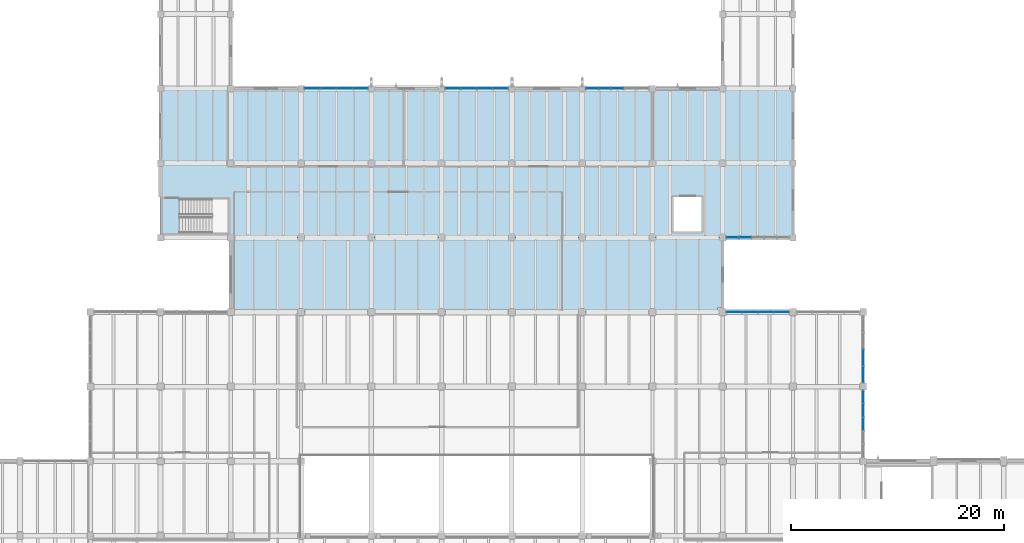
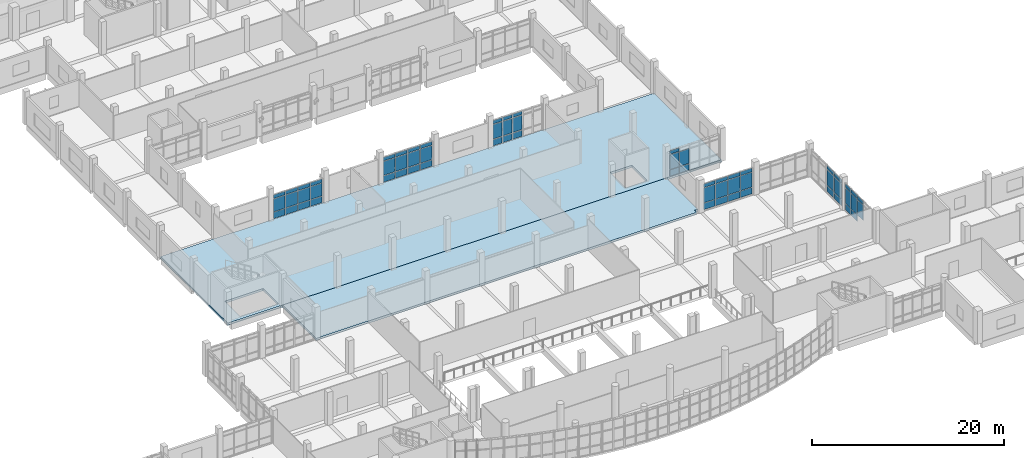
# One storey, part 37 of 68: 64 plates, 2 slabs, 7 elements without a shape of their own.
"""IFC4 building model written with IfcOpenShell, lengths in metres."""

import ifcopenshell
import ifcopenshell.guid

model = None  # the IFC model being written
_history = None  # IfcOwnerHistory: only IFC2X3 demands one
_inside = {}  # id of a spatial element -> (the spatial element, [elements in it])
_under = {}  # id of a project, library or spatial element -> (it, [spatial elements below it])
_declared = {}  # id of a project -> (the project, [libraries it declares])
_typed = {}  # id of a type object -> (the type object, [elements of that type])
_made_of = {}  # id of a material, layer set ... -> (it, [elements and type objects made of it])


def new_model(schema):
    """Start an empty IFC model of exactly this schema.

    Asked for "IFC4X3", IfcOpenShell would pick the latest addendum, in which some entities
    have other attributes; the version numbers below select the first issue.
    IFC2X3 requires an IfcOwnerHistory on every rooted entity: one is made here for all.
    """
    global model, _history
    if schema == "IFC4X3":
        model = ifcopenshell.file(schema_version=(4, 3, 0, 0))
    else:
        model = ifcopenshell.file(schema=schema)
    _inside.clear()
    _under.clear()
    _declared.clear()
    _typed.clear()
    _made_of.clear()
    _history = None
    if model.schema == "IFC2X3":
        org = make("IfcOrganization", Name="unknown")
        user = make(
            "IfcPersonAndOrganization",
            ThePerson=make("IfcPerson", FamilyName="unknown"),
            TheOrganization=org,
        )
        app = make(
            "IfcApplication",
            ApplicationDeveloper=org,
            Version="unknown",
            ApplicationFullName="unknown",
            ApplicationIdentifier="unknown",
        )
        _history = make(
            "IfcOwnerHistory",
            OwningUser=user,
            OwningApplication=app,
            ChangeAction="ADDED",
            CreationDate=0,
        )
    return model


def make(cls, **values):
    """One entity of the class cls with the attributes given. An attribute that is None is left unset."""
    return model.create_entity(
        cls, **{name: value for name, value in values.items() if value is not None}
    )


def rooted(cls, **values):
    """An entity with a GlobalId (a new one), such as an element, a storey or a relation."""
    return make(cls, GlobalId=ifcopenshell.guid.new(), OwnerHistory=_history, **values)


def si_unit(unit_type, name, prefix=None):
    """IfcSIUnit, for example si_unit("LENGTHUNIT", "METRE", prefix="MILLI")."""
    return make("IfcSIUnit", UnitType=unit_type, Prefix=prefix, Name=name)


def assignment(units):
    """IfcUnitAssignment: the units of a project."""
    return None if units is None else make("IfcUnitAssignment", Units=units)


def point(xyz):
    """IfcCartesianPoint."""
    return None if xyz is None else make("IfcCartesianPoint", Coordinates=xyz)


def direction(xyz):
    """IfcDirection."""
    return None if xyz is None else make("IfcDirection", DirectionRatios=xyz)


def frame(location, z_axis=None, x_axis=None):
    """IfcAxis2Placement3D, a coordinate frame: its origin and axes. An axis left out is left unset."""
    return make(
        "IfcAxis2Placement3D",
        Location=point(location),
        Axis=direction(z_axis),
        RefDirection=direction(x_axis),
    )


def frame_2d(location, x_axis=None):
    """IfcAxis2Placement2D, a coordinate frame in the plane: its origin and x axis."""
    return make(
        "IfcAxis2Placement2D", Location=point(location), RefDirection=direction(x_axis)
    )


def origin():
    """The frame at (0, 0, 0) with its axes left unset."""
    return frame((0.0, 0.0, 0.0))


def origin_2d():
    """The frame at (0, 0) in the plane with its x axis left unset."""
    return frame_2d((0.0, 0.0))


def place(relative_to, where):
    """IfcLocalPlacement: puts the frame where relative to a parent placement (None: the world)."""
    return make(
        "IfcLocalPlacement", PlacementRelTo=relative_to, RelativePlacement=where
    )


def context(
    kind, dimensions, precision=None, world=None, true_north=None, identifier=None
):
    """IfcGeometricRepresentationContext, for example the 3D "Model" context."""
    return make(
        "IfcGeometricRepresentationContext",
        ContextIdentifier=identifier,
        ContextType=kind,
        CoordinateSpaceDimension=dimensions,
        Precision=precision,
        WorldCoordinateSystem=world,
        TrueNorth=true_north,
    )


def subcontext(parent, identifier, kind, view, scale=None):
    """IfcGeometricRepresentationSubContext, for example "Body" below "Model"."""
    return make(
        "IfcGeometricRepresentationSubContext",
        ContextIdentifier=identifier,
        ContextType=kind,
        ParentContext=parent,
        TargetScale=scale,
        TargetView=view,
    )


def project(units=None, contexts=None):
    """IfcProject with its units and contexts."""
    return rooted(
        "IfcProject",
        Name="project",
        RepresentationContexts=contexts,
        UnitsInContext=assignment(units),
    )


def spatial(cls, under=None, at=None, **own):
    """A site, building, storey or space (cls), placed at a placement, below another one or the project."""
    s = rooted(cls, ObjectPlacement=at, **own)
    if under is not None:
        _under.setdefault(under.id(), (under, []))[1].append(s)
    return s


def polyline(points):
    """IfcPolyline through the points."""
    return make("IfcPolyline", Points=[point(p) for p in points])


def profile(cls, at=None, kind="AREA", **sizes):
    """A parametric profile (cls). Its sizes go by their IFC names, for example OverallWidth=200.0."""
    return make(cls, ProfileType=kind, Position=at, **sizes)


def rectangle(**sizes):
    """IfcRectangleProfileDef."""
    return profile("IfcRectangleProfileDef", **sizes)


def outline(outer, holes=None, kind="AREA"):
    """IfcArbitraryClosedProfileDef: a profile drawn as a closed curve; with holes, ...WithVoids."""
    if holes is None:
        return make("IfcArbitraryClosedProfileDef", ProfileType=kind, OuterCurve=outer)
    return make(
        "IfcArbitraryProfileDefWithVoids",
        ProfileType=kind,
        OuterCurve=outer,
        InnerCurves=holes,
    )


def extrude(swept, where, along, depth):
    """IfcExtrudedAreaSolid: the profile swept, set in the frame where, extruded along a direction by depth."""
    return make(
        "IfcExtrudedAreaSolid",
        SweptArea=swept,
        Position=where,
        ExtrudedDirection=direction(along),
        Depth=depth,
    )


def shape(context_of_items, identifier, shape_type, items):
    """IfcShapeRepresentation: the items that make up one representation, for example the "Body"."""
    return make(
        "IfcShapeRepresentation",
        ContextOfItems=context_of_items,
        RepresentationIdentifier=identifier,
        RepresentationType=shape_type,
        Items=items,
    )


def material(Name=None, Category=None):
    """IfcMaterial."""
    return make("IfcMaterial", Name=Name, Category=Category)


def layer(
    of_material, thickness, ventilated=None, Name=None, Category=None, Priority=None
):
    """IfcMaterialLayer: one layer of a wall or slab, of a material (None: an air gap)."""
    return make(
        "IfcMaterialLayer",
        Material=of_material,
        LayerThickness=thickness,
        IsVentilated=ventilated,
        Name=Name,
        Category=Category,
        Priority=Priority,
    )


def layer_set(layers, Name=None):
    """IfcMaterialLayerSet."""
    return make("IfcMaterialLayerSet", MaterialLayers=layers, LayerSetName=Name)


def made_of(thing, what):
    """Note that an element or type object is made of a material, layer set ...; save() writes the relation."""
    if what is not None:
        _made_of.setdefault(what.id(), (what, []))[1].append(thing)
    return thing


def type_object(cls, material=None, **own):
    """A type object (cls), such as IfcWallType, which elements share."""
    return made_of(rooted(cls, **own), material)


def element(
    cls,
    number,
    at=None,
    inside=None,
    cuts=None,
    type_object=None,
    material=None,
    context=None,
    identifier="Body",
    shape_type=None,
    held_by="IfcProductDefinitionShape",
    body=None,
    shapes=None,
    **own,
):
    """One element of the class cls, such as IfcWall. Its Tag is "e" and its number.

    at: its placement. inside: the storey or other place that contains it. cuts: it is an
    opening in that element (IfcRelVoidsElement). A single representation is given by context,
    identifier, shape_type and body (its items); several are given by shapes. held_by: the class
    of the entity that holds the representations. save() writes the other relations.
    """
    e = rooted(cls, Tag="e%d" % number, ObjectPlacement=at, **own)
    if body is not None:
        shapes = [shape(context, identifier, shape_type, body)]
    if shapes is not None:
        e.Representation = make(held_by, Representations=shapes)
    if inside is not None:
        _inside.setdefault(inside.id(), (inside, []))[1].append(e)
    if cuts is not None:
        rooted(
            "IfcRelVoidsElement", RelatingBuildingElement=cuts, RelatedOpeningElement=e
        )
    if type_object is not None:
        _typed.setdefault(type_object.id(), (type_object, []))[1].append(e)
    return made_of(e, material)


def aggregate(whole, parts):
    """IfcRelAggregates: a whole, such as a stair, and the parts it consists of."""
    return rooted("IfcRelAggregates", RelatingObject=whole, RelatedObjects=parts)


def save(model, path):
    """Write the relations noted so far, then the file.

    IfcRelAggregates (storeys below a building ...), IfcRelContainedInSpatialStructure (elements
    in a storey), IfcRelDefinesByType, IfcRelAssociatesMaterial and IfcRelDeclares: one each for
    every whole, place, type object, material and project.
    """
    for whole, parts in _under.values():
        aggregate(whole, parts)
    for where, things in _inside.values():
        rooted(
            "IfcRelContainedInSpatialStructure",
            RelatedElements=things,
            RelatingStructure=where,
        )
    for kind, things in _typed.values():
        rooted("IfcRelDefinesByType", RelatedObjects=things, RelatingType=kind)
    for what, things in _made_of.values():
        rooted("IfcRelAssociatesMaterial", RelatedObjects=things, RelatingMaterial=what)
    for by, libraries in _declared.values():
        rooted("IfcRelDeclares", RelatingContext=by, RelatedDefinitions=libraries)
    model.write(path)


model = new_model("IFC4")

# Units and contexts
model_context = context("Model", 3, precision=1e-05, world=origin(), true_north=direction((0.0, 1.0)))
body_context = subcontext(model_context, "Body", "Model", "MODEL_VIEW")
ifc_project = project(units=[si_unit("LENGTHUNIT", "METRE"), si_unit("AREAUNIT", "SQUARE_METRE"), si_unit("VOLUMEUNIT", "CUBIC_METRE"), si_unit("PLANEANGLEUNIT", "RADIAN"), si_unit("MASSUNIT", "GRAM", prefix="KILO")], contexts=[model_context])

# Site, building, storey
site_placement = place(None, origin())
site = spatial("IfcSite", under=ifc_project, at=site_placement, CompositionType="ELEMENT")
building_placement = place(site_placement, origin())
building = spatial("IfcBuilding", under=site, at=building_placement, Name="Ciguamira Faculty of Natural Sciences", CompositionType="ELEMENT")
storey_placement = place(building_placement, frame((0.0, 0.0, 4.199951171875)))
storey = spatial("IfcBuildingStorey", under=building, at=storey_placement, Name="L01", CompositionType="ELEMENT", Elevation=4.199951171875)

# Curtain wall, plates
ifc_material_1 = material(Name="Anodized aluminium curtain wall", Category="aluminium")
curtain_wall_type_1 = type_object("IfcCurtainWallType", Name="CurtainWall_CW-01", PredefinedType="USERDEFINED", material=ifc_material_1)
curtain_wall_1_placement = place(storey_placement, origin())
curtain_wall_1 = element("IfcCurtainWall", 1, at=curtain_wall_1_placement, inside=storey, type_object=curtain_wall_type_1, Name="L01 unitised curtain wall 0037", ObjectType="UNITISED CURTAIN WALL", PredefinedType="USERDEFINED")
ifc_material_2 = material(Name="Low-E laminated solar glass", Category="glass")
ifc_layer_1 = layer(ifc_material_2, 0.028076171875, Name="Low-E laminated solar glass")
ifc_layer_set_1 = layer_set([ifc_layer_1], Name="Low-E laminated solar glass")
plate_type_1 = type_object("IfcPlateType", Name="CWPanel_CWP-01", PredefinedType="CURTAIN_PANEL", material=ifc_layer_set_1)
plate_1_placement = place(storey_placement, frame((71.56494140625, 59.0, 0.06005859375), z_axis=(0.0, 0.0, 1.0), x_axis=(1.0, 0.0, 0.0)))
plate_1 = element("IfcPlate", 2, at=plate_1_placement, type_object=plate_type_1, Name="CW-01 panel 1.1", PredefinedType="CURTAIN_PANEL", context=body_context, shape_type="SweptSolid", body=[
    extrude(rectangle(XDim=1.409912109375, YDim=0.028076171875, at=origin_2d()), origin(), (0.0, 0.0, 1.0), 0.81005859375),
])
plate_2_placement = place(storey_placement, frame((71.56494140625, 59.0, 0.929931640625), z_axis=(0.0, 0.0, 1.0), x_axis=(1.0, 0.0, 0.0)))
plate_2 = element("IfcPlate", 3, at=plate_2_placement, type_object=plate_type_1, Name="CW-01 panel 1.2", PredefinedType="CURTAIN_PANEL", context=body_context, shape_type="SweptSolid", body=[
    extrude(rectangle(XDim=1.409912109375, YDim=0.028076171875, at=origin_2d()), origin(), (0.0, 0.0, 1.0), 1.625),
])
plate_3_placement = place(storey_placement, frame((71.56494140625, 59.0, 2.614990234375), z_axis=(0.0, 0.0, 1.0), x_axis=(1.0, 0.0, 0.0)))
plate_3 = element("IfcPlate", 4, at=plate_3_placement, type_object=plate_type_1, Name="CW-01 panel 1.3", PredefinedType="CURTAIN_PANEL", context=body_context, shape_type="SweptSolid", body=[
    extrude(rectangle(XDim=1.409912109375, YDim=0.028076171875, at=origin_2d()), origin(), (0.0, 0.0, 1.0), 0.4599609375),
])
plate_4_placement = place(storey_placement, frame((73.050048828125, 59.0, 0.06005859375), z_axis=(0.0, 0.0, 1.0), x_axis=(1.0, 0.0, 0.0)))
plate_4 = element("IfcPlate", 5, at=plate_4_placement, type_object=plate_type_1, Name="CW-01 panel 2.1", PredefinedType="CURTAIN_PANEL", context=body_context, shape_type="SweptSolid", body=[
    extrude(rectangle(XDim=1.43994140625, YDim=0.028076171875, at=origin_2d()), origin(), (0.0, 0.0, 1.0), 0.81005859375),
])
plate_5_placement = place(storey_placement, frame((73.050048828125, 59.0, 0.929931640625), z_axis=(0.0, 0.0, 1.0), x_axis=(1.0, 0.0, 0.0)))
plate_5 = element("IfcPlate", 6, at=plate_5_placement, type_object=plate_type_1, Name="CW-01 panel 2.2", PredefinedType="CURTAIN_PANEL", context=body_context, shape_type="SweptSolid", body=[
    extrude(rectangle(XDim=1.43994140625, YDim=0.028076171875, at=origin_2d()), origin(), (0.0, 0.0, 1.0), 1.625),
])
plate_6_placement = place(storey_placement, frame((73.050048828125, 59.0, 2.614990234375), z_axis=(0.0, 0.0, 1.0), x_axis=(1.0, 0.0, 0.0)))
plate_6 = element("IfcPlate", 7, at=plate_6_placement, type_object=plate_type_1, Name="CW-01 panel 2.3", PredefinedType="CURTAIN_PANEL", context=body_context, shape_type="SweptSolid", body=[
    extrude(rectangle(XDim=1.43994140625, YDim=0.028076171875, at=origin_2d()), origin(), (0.0, 0.0, 1.0), 0.4599609375),
])
plate_7_placement = place(storey_placement, frame((74.550048828125, 59.0, 0.06005859375), z_axis=(0.0, 0.0, 1.0), x_axis=(1.0, 0.0, 0.0)))
plate_7 = element("IfcPlate", 8, at=plate_7_placement, type_object=plate_type_1, Name="CW-01 panel 3.1", PredefinedType="CURTAIN_PANEL", context=body_context, shape_type="SweptSolid", body=[
    extrude(rectangle(XDim=1.43994140625, YDim=0.028076171875, at=origin_2d()), origin(), (0.0, 0.0, 1.0), 0.81005859375),
])
plate_8_placement = place(storey_placement, frame((74.550048828125, 59.0, 0.929931640625), z_axis=(0.0, 0.0, 1.0), x_axis=(1.0, 0.0, 0.0)))
plate_8 = element("IfcPlate", 9, at=plate_8_placement, type_object=plate_type_1, Name="CW-01 panel 3.2", PredefinedType="CURTAIN_PANEL", context=body_context, shape_type="SweptSolid", body=[
    extrude(rectangle(XDim=1.43994140625, YDim=0.028076171875, at=origin_2d()), origin(), (0.0, 0.0, 1.0), 1.625),
])
plate_9_placement = place(storey_placement, frame((74.550048828125, 59.0, 2.614990234375), z_axis=(0.0, 0.0, 1.0), x_axis=(1.0, 0.0, 0.0)))
plate_9 = element("IfcPlate", 10, at=plate_9_placement, type_object=plate_type_1, Name="CW-01 panel 3.3", PredefinedType="CURTAIN_PANEL", context=body_context, shape_type="SweptSolid", body=[
    extrude(rectangle(XDim=1.43994140625, YDim=0.028076171875, at=origin_2d()), origin(), (0.0, 0.0, 1.0), 0.4599609375),
])
plate_10_placement = place(storey_placement, frame((76.034912109375, 59.0, 0.06005859375), z_axis=(0.0, 0.0, 1.0), x_axis=(1.0, 0.0, 0.0)))
plate_10 = element("IfcPlate", 11, at=plate_10_placement, type_object=plate_type_1, Name="CW-01 panel 4.1", PredefinedType="CURTAIN_PANEL", context=body_context, shape_type="SweptSolid", body=[
    extrude(rectangle(XDim=1.409912109375, YDim=0.028076171875, at=origin_2d()), origin(), (0.0, 0.0, 1.0), 0.81005859375),
])
plate_11_placement = place(storey_placement, frame((76.034912109375, 59.0, 0.929931640625), z_axis=(0.0, 0.0, 1.0), x_axis=(1.0, 0.0, 0.0)))
plate_11 = element("IfcPlate", 12, at=plate_11_placement, type_object=plate_type_1, Name="CW-01 panel 4.2", PredefinedType="CURTAIN_PANEL", context=body_context, shape_type="SweptSolid", body=[
    extrude(rectangle(XDim=1.409912109375, YDim=0.028076171875, at=origin_2d()), origin(), (0.0, 0.0, 1.0), 1.625),
])
plate_12_placement = place(storey_placement, frame((76.034912109375, 59.0, 2.614990234375), z_axis=(0.0, 0.0, 1.0), x_axis=(1.0, 0.0, 0.0)))
plate_12 = element("IfcPlate", 13, at=plate_12_placement, type_object=plate_type_1, Name="CW-01 panel 4.3", PredefinedType="CURTAIN_PANEL", context=body_context, shape_type="SweptSolid", body=[
    extrude(rectangle(XDim=1.409912109375, YDim=0.028076171875, at=origin_2d()), origin(), (0.0, 0.0, 1.0), 0.4599609375),
])
aggregate(curtain_wall_1, [plate_1, plate_2, plate_3, plate_4, plate_5, plate_6, plate_7, plate_8, plate_9, plate_10, plate_11, plate_12])

curtain_wall_type_2 = type_object("IfcCurtainWallType", Name="CurtainWall_CW-03", PredefinedType="USERDEFINED", material=ifc_material_1)
curtain_wall_2_placement = place(storey_placement, origin())
curtain_wall_2 = element("IfcCurtainWall", 14, at=curtain_wall_2_placement, inside=storey, type_object=curtain_wall_type_2, Name="L01 unitised curtain wall 0039", ObjectType="UNITISED CURTAIN WALL", PredefinedType="USERDEFINED")
plate_13_placement = place(storey_placement, frame((97.820068359375, 59.0, 0.080078125), z_axis=(0.0, 0.0, 1.0), x_axis=(1.0, 0.0, 0.0)))
plate_13 = element("IfcPlate", 15, at=plate_13_placement, type_object=plate_type_1, Name="CW-03 panel 1.1", PredefinedType="CURTAIN_PANEL", context=body_context, shape_type="SweptSolid", body=[
    extrude(rectangle(XDim=1.080078125, YDim=0.028076171875, at=origin_2d()), origin(), (0.0, 0.0, 1.0), 0.780029296875),
])
plate_14_placement = place(storey_placement, frame((97.820068359375, 59.0, 0.940185546875), z_axis=(0.0, 0.0, 1.0), x_axis=(1.0, 0.0, 0.0)))
plate_14 = element("IfcPlate", 16, at=plate_14_placement, type_object=plate_type_1, Name="CW-03 panel 1.2", PredefinedType="CURTAIN_PANEL", context=body_context, shape_type="SweptSolid", body=[
    extrude(rectangle(XDim=1.080078125, YDim=0.028076171875, at=origin_2d()), origin(), (0.0, 0.0, 1.0), 1.8349609375),
])
plate_15_placement = place(storey_placement, frame((97.820068359375, 59.0, 2.85498046875), z_axis=(0.0, 0.0, 1.0), x_axis=(1.0, 0.0, 0.0)))
plate_15 = element("IfcPlate", 17, at=plate_15_placement, type_object=plate_type_1, Name="CW-03 panel 1.3", PredefinedType="CURTAIN_PANEL", context=body_context, shape_type="SweptSolid", body=[
    extrude(rectangle(XDim=1.080078125, YDim=0.028076171875, at=origin_2d()), origin(), (0.0, 0.0, 1.0), 0.429931640625),
])
plate_16_placement = place(storey_placement, frame((99.0, 59.0, 0.080078125), z_axis=(0.0, 0.0, 1.0), x_axis=(1.0, 0.0, 0.0)))
plate_16 = element("IfcPlate", 18, at=plate_16_placement, type_object=plate_type_1, Name="CW-03 panel 2.1", PredefinedType="CURTAIN_PANEL", context=body_context, shape_type="SweptSolid", body=[
    extrude(rectangle(XDim=1.1201171875, YDim=0.028076171875, at=origin_2d()), origin(), (0.0, 0.0, 1.0), 0.780029296875),
])
plate_17_placement = place(storey_placement, frame((99.0, 59.0, 0.940185546875), z_axis=(0.0, 0.0, 1.0), x_axis=(1.0, 0.0, 0.0)))
plate_17 = element("IfcPlate", 19, at=plate_17_placement, type_object=plate_type_1, Name="CW-03 panel 2.2", PredefinedType="CURTAIN_PANEL", context=body_context, shape_type="SweptSolid", body=[
    extrude(rectangle(XDim=1.1201171875, YDim=0.028076171875, at=origin_2d()), origin(), (0.0, 0.0, 1.0), 1.8349609375),
])
plate_18_placement = place(storey_placement, frame((99.0, 59.0, 2.85498046875), z_axis=(0.0, 0.0, 1.0), x_axis=(1.0, 0.0, 0.0)))
plate_18 = element("IfcPlate", 20, at=plate_18_placement, type_object=plate_type_1, Name="CW-03 panel 2.3", PredefinedType="CURTAIN_PANEL", context=body_context, shape_type="SweptSolid", body=[
    extrude(rectangle(XDim=1.1201171875, YDim=0.028076171875, at=origin_2d()), origin(), (0.0, 0.0, 1.0), 0.429931640625),
])
plate_19_placement = place(storey_placement, frame((100.199951171875, 59.0, 0.080078125), z_axis=(0.0, 0.0, 1.0), x_axis=(1.0, 0.0, 0.0)))
plate_19 = element("IfcPlate", 21, at=plate_19_placement, type_object=plate_type_1, Name="CW-03 panel 3.1", PredefinedType="CURTAIN_PANEL", context=body_context, shape_type="SweptSolid", body=[
    extrude(rectangle(XDim=1.1201171875, YDim=0.028076171875, at=origin_2d()), origin(), (0.0, 0.0, 1.0), 0.780029296875),
])
plate_20_placement = place(storey_placement, frame((100.199951171875, 59.0, 0.940185546875), z_axis=(0.0, 0.0, 1.0), x_axis=(1.0, 0.0, 0.0)))
plate_20 = element("IfcPlate", 22, at=plate_20_placement, type_object=plate_type_1, Name="CW-03 panel 3.2", PredefinedType="CURTAIN_PANEL", context=body_context, shape_type="SweptSolid", body=[
    extrude(rectangle(XDim=1.1201171875, YDim=0.028076171875, at=origin_2d()), origin(), (0.0, 0.0, 1.0), 1.8349609375),
])
plate_21_placement = place(storey_placement, frame((100.199951171875, 59.0, 2.85498046875), z_axis=(0.0, 0.0, 1.0), x_axis=(1.0, 0.0, 0.0)))
plate_21 = element("IfcPlate", 23, at=plate_21_placement, type_object=plate_type_1, Name="CW-03 panel 3.3", PredefinedType="CURTAIN_PANEL", context=body_context, shape_type="SweptSolid", body=[
    extrude(rectangle(XDim=1.1201171875, YDim=0.028076171875, at=origin_2d()), origin(), (0.0, 0.0, 1.0), 0.429931640625),
])
aggregate(curtain_wall_2, [plate_13, plate_14, plate_15, plate_16, plate_17, plate_18, plate_19, plate_20, plate_21])

curtain_wall_type_3 = type_object("IfcCurtainWallType", Name="CurtainWall_CW-05", PredefinedType="USERDEFINED", material=ifc_material_1)
curtain_wall_3_placement = place(storey_placement, origin())
curtain_wall_3 = element("IfcCurtainWall", 24, at=curtain_wall_3_placement, inside=storey, type_object=curtain_wall_type_3, Name="L01 unitised curtain wall 0053", ObjectType="UNITISED CURTAIN WALL", PredefinedType="USERDEFINED")
plate_22_placement = place(storey_placement, frame((123.300048828125, 32.13623046875, 0.070068359375), z_axis=(0.0, 0.0, 1.0), x_axis=(0.0, 1.0, 0.0)))
plate_22 = element("IfcPlate", 25, at=plate_22_placement, type_object=plate_type_1, Name="CW-05 panel 1.1", PredefinedType="CURTAIN_PANEL", context=body_context, shape_type="SweptSolid", body=[
    extrude(rectangle(XDim=1.482421875, YDim=0.028076171875, at=origin_2d()), origin(), (0.0, 0.0, 1.0), 0.794921875),
])
plate_23_placement = place(storey_placement, frame((123.300048828125, 32.13623046875, 0.93505859375), z_axis=(0.0, 0.0, 1.0), x_axis=(0.0, 1.0, 0.0)))
plate_23 = element("IfcPlate", 26, at=plate_23_placement, type_object=plate_type_1, Name="CW-05 panel 1.2", PredefinedType="CURTAIN_PANEL", context=body_context, shape_type="SweptSolid", body=[
    extrude(rectangle(XDim=1.482421875, YDim=0.028076171875, at=origin_2d()), origin(), (0.0, 0.0, 1.0), 1.945068359375),
])
plate_24_placement = place(storey_placement, frame((123.300048828125, 32.13623046875, 2.9501953125), z_axis=(0.0, 0.0, 1.0), x_axis=(0.0, 1.0, 0.0)))
plate_24 = element("IfcPlate", 27, at=plate_24_placement, type_object=plate_type_1, Name="CW-05 panel 1.3", PredefinedType="CURTAIN_PANEL", context=body_context, shape_type="SweptSolid", body=[
    extrude(rectangle(XDim=1.482421875, YDim=0.028076171875, at=origin_2d()), origin(), (0.0, 0.0, 1.0), 0.445068359375),
])
plate_25_placement = place(storey_placement, frame((123.300048828125, 33.706298828125, 0.070068359375), z_axis=(0.0, 0.0, 1.0), x_axis=(0.0, 1.0, 0.0)))
plate_25 = element("IfcPlate", 28, at=plate_25_placement, type_object=plate_type_1, Name="CW-05 panel 2.1", PredefinedType="CURTAIN_PANEL", context=body_context, shape_type="SweptSolid", body=[
    extrude(rectangle(XDim=1.517578125, YDim=0.028076171875, at=origin_2d()), origin(), (0.0, 0.0, 1.0), 0.794921875),
])
plate_26_placement = place(storey_placement, frame((123.300048828125, 33.706298828125, 0.93505859375), z_axis=(0.0, 0.0, 1.0), x_axis=(0.0, 1.0, 0.0)))
plate_26 = element("IfcPlate", 29, at=plate_26_placement, type_object=plate_type_1, Name="CW-05 panel 2.2", PredefinedType="CURTAIN_PANEL", context=body_context, shape_type="SweptSolid", body=[
    extrude(rectangle(XDim=1.517578125, YDim=0.028076171875, at=origin_2d()), origin(), (0.0, 0.0, 1.0), 1.945068359375),
])
plate_27_placement = place(storey_placement, frame((123.300048828125, 33.706298828125, 2.9501953125), z_axis=(0.0, 0.0, 1.0), x_axis=(0.0, 1.0, 0.0)))
plate_27 = element("IfcPlate", 30, at=plate_27_placement, type_object=plate_type_1, Name="CW-05 panel 2.3", PredefinedType="CURTAIN_PANEL", context=body_context, shape_type="SweptSolid", body=[
    extrude(rectangle(XDim=1.517578125, YDim=0.028076171875, at=origin_2d()), origin(), (0.0, 0.0, 1.0), 0.445068359375),
])
aggregate(curtain_wall_3, [plate_22, plate_23, plate_24, plate_25, plate_26, plate_27])

curtain_wall_type_4 = type_object("IfcCurtainWallType", Name="CurtainWall_CW-10", PredefinedType="USERDEFINED", material=ifc_material_1)
curtain_wall_4_placement = place(storey_placement, origin())
curtain_wall_4 = element("IfcCurtainWall", 31, at=curtain_wall_4_placement, inside=storey, type_object=curtain_wall_type_4, Name="L01 unitised curtain wall 0034", ObjectType="UNITISED CURTAIN WALL", PredefinedType="USERDEFINED")
ifc_layer_2 = layer(ifc_material_2, 0.035888671875, Name="Low-E laminated solar glass")
ifc_layer_set_2 = layer_set([ifc_layer_2], Name="Low-E laminated solar glass")
plate_type_2 = type_object("IfcPlateType", Name="CWPanel_CWP-02", PredefinedType="CURTAIN_PANEL", material=ifc_layer_set_2)
plate_28_placement = place(storey_placement, frame((111.183837890625, 38.0, 0.06005859375), z_axis=(0.0, 0.0, 1.0), x_axis=(1.0, 0.0, 0.0)))
plate_28 = element("IfcPlate", 32, at=plate_28_placement, type_object=plate_type_2, Name="CW-10 panel 1.1", PredefinedType="CURTAIN_PANEL", context=body_context, shape_type="SweptSolid", body=[
    extrude(rectangle(XDim=1.3974609375, YDim=0.035888671875, at=origin_2d()), origin(), (0.0, 0.0, 1.0), 0.81005859375),
])
plate_29_placement = place(storey_placement, frame((111.183837890625, 38.0, 0.929931640625), z_axis=(0.0, 0.0, 1.0), x_axis=(1.0, 0.0, 0.0)))
plate_29 = element("IfcPlate", 33, at=plate_29_placement, type_object=plate_type_2, Name="CW-10 panel 1.2", PredefinedType="CURTAIN_PANEL", context=body_context, shape_type="SweptSolid", body=[
    extrude(rectangle(XDim=1.3974609375, YDim=0.035888671875, at=origin_2d()), origin(), (0.0, 0.0, 1.0), 1.875),
])
plate_30_placement = place(storey_placement, frame((111.183837890625, 38.0, 2.864990234375), z_axis=(0.0, 0.0, 1.0), x_axis=(1.0, 0.0, 0.0)))
plate_30 = element("IfcPlate", 34, at=plate_30_placement, type_object=plate_type_2, Name="CW-10 panel 1.3", PredefinedType="CURTAIN_PANEL", context=body_context, shape_type="SweptSolid", body=[
    extrude(rectangle(XDim=1.3974609375, YDim=0.035888671875, at=origin_2d()), origin(), (0.0, 0.0, 1.0), 0.4599609375),
])
plate_31_placement = place(storey_placement, frame((112.65625, 38.0, 0.06005859375), z_axis=(0.0, 0.0, 1.0), x_axis=(1.0, 0.0, 0.0)))
plate_31 = element("IfcPlate", 35, at=plate_31_placement, type_object=plate_type_2, Name="CW-10 panel 2.1", PredefinedType="CURTAIN_PANEL", context=body_context, shape_type="SweptSolid", body=[
    extrude(rectangle(XDim=1.427490234375, YDim=0.035888671875, at=origin_2d()), origin(), (0.0, 0.0, 1.0), 0.81005859375),
])
plate_32_placement = place(storey_placement, frame((112.65625, 38.0, 0.929931640625), z_axis=(0.0, 0.0, 1.0), x_axis=(1.0, 0.0, 0.0)))
plate_32 = element("IfcPlate", 36, at=plate_32_placement, type_object=plate_type_2, Name="CW-10 panel 2.2", PredefinedType="CURTAIN_PANEL", context=body_context, shape_type="SweptSolid", body=[
    extrude(rectangle(XDim=1.427490234375, YDim=0.035888671875, at=origin_2d()), origin(), (0.0, 0.0, 1.0), 1.875),
])
plate_33_placement = place(storey_placement, frame((112.65625, 38.0, 2.864990234375), z_axis=(0.0, 0.0, 1.0), x_axis=(1.0, 0.0, 0.0)))
plate_33 = element("IfcPlate", 37, at=plate_33_placement, type_object=plate_type_2, Name="CW-10 panel 2.3", PredefinedType="CURTAIN_PANEL", context=body_context, shape_type="SweptSolid", body=[
    extrude(rectangle(XDim=1.427490234375, YDim=0.035888671875, at=origin_2d()), origin(), (0.0, 0.0, 1.0), 0.4599609375),
])
plate_34_placement = place(storey_placement, frame((114.143798828125, 38.0, 0.06005859375), z_axis=(0.0, 0.0, 1.0), x_axis=(1.0, 0.0, 0.0)))
plate_34 = element("IfcPlate", 38, at=plate_34_placement, type_object=plate_type_2, Name="CW-10 panel 3.1", PredefinedType="CURTAIN_PANEL", context=body_context, shape_type="SweptSolid", body=[
    extrude(rectangle(XDim=1.427490234375, YDim=0.035888671875, at=origin_2d()), origin(), (0.0, 0.0, 1.0), 0.81005859375),
])
plate_35_placement = place(storey_placement, frame((114.143798828125, 38.0, 0.929931640625), z_axis=(0.0, 0.0, 1.0), x_axis=(1.0, 0.0, 0.0)))
plate_35 = element("IfcPlate", 39, at=plate_35_placement, type_object=plate_type_2, Name="CW-10 panel 3.2", PredefinedType="CURTAIN_PANEL", context=body_context, shape_type="SweptSolid", body=[
    extrude(rectangle(XDim=1.427490234375, YDim=0.035888671875, at=origin_2d()), origin(), (0.0, 0.0, 1.0), 1.875),
])
plate_36_placement = place(storey_placement, frame((114.143798828125, 38.0, 2.864990234375), z_axis=(0.0, 0.0, 1.0), x_axis=(1.0, 0.0, 0.0)))
plate_36 = element("IfcPlate", 40, at=plate_36_placement, type_object=plate_type_2, Name="CW-10 panel 3.3", PredefinedType="CURTAIN_PANEL", context=body_context, shape_type="SweptSolid", body=[
    extrude(rectangle(XDim=1.427490234375, YDim=0.035888671875, at=origin_2d()), origin(), (0.0, 0.0, 1.0), 0.4599609375),
])
plate_37_placement = place(storey_placement, frame((115.6162109375, 38.0, 0.06005859375), z_axis=(0.0, 0.0, 1.0), x_axis=(1.0, 0.0, 0.0)))
plate_37 = element("IfcPlate", 41, at=plate_37_placement, type_object=plate_type_2, Name="CW-10 panel 4.1", PredefinedType="CURTAIN_PANEL", context=body_context, shape_type="SweptSolid", body=[
    extrude(rectangle(XDim=1.3974609375, YDim=0.035888671875, at=origin_2d()), origin(), (0.0, 0.0, 1.0), 0.81005859375),
])
plate_38_placement = place(storey_placement, frame((115.6162109375, 38.0, 0.929931640625), z_axis=(0.0, 0.0, 1.0), x_axis=(1.0, 0.0, 0.0)))
plate_38 = element("IfcPlate", 42, at=plate_38_placement, type_object=plate_type_2, Name="CW-10 panel 4.2", PredefinedType="CURTAIN_PANEL", context=body_context, shape_type="SweptSolid", body=[
    extrude(rectangle(XDim=1.3974609375, YDim=0.035888671875, at=origin_2d()), origin(), (0.0, 0.0, 1.0), 1.875),
])
plate_39_placement = place(storey_placement, frame((115.6162109375, 38.0, 2.864990234375), z_axis=(0.0, 0.0, 1.0), x_axis=(1.0, 0.0, 0.0)))
plate_39 = element("IfcPlate", 43, at=plate_39_placement, type_object=plate_type_2, Name="CW-10 panel 4.3", PredefinedType="CURTAIN_PANEL", context=body_context, shape_type="SweptSolid", body=[
    extrude(rectangle(XDim=1.3974609375, YDim=0.035888671875, at=origin_2d()), origin(), (0.0, 0.0, 1.0), 0.4599609375),
])
aggregate(curtain_wall_4, [plate_28, plate_29, plate_30, plate_31, plate_32, plate_33, plate_34, plate_35, plate_36, plate_37, plate_38, plate_39])

curtain_wall_type_5 = type_object("IfcCurtainWallType", Name="CurtainWall_CW-12", PredefinedType="USERDEFINED", material=ifc_material_1)
curtain_wall_5_placement = place(storey_placement, origin())
curtain_wall_5 = element("IfcCurtainWall", 44, at=curtain_wall_5_placement, inside=storey, type_object=curtain_wall_type_5, Name="L01 unitised curtain wall 0036", ObjectType="UNITISED CURTAIN WALL", PredefinedType="USERDEFINED")
plate_40_placement = place(storey_placement, frame((111.02001953125, 45.0, 0.080078125), z_axis=(0.0, 0.0, 1.0), x_axis=(1.0, 0.0, 0.0)))
plate_40 = element("IfcPlate", 45, at=plate_40_placement, type_object=plate_type_2, Name="CW-12 panel 1.1", PredefinedType="CURTAIN_PANEL", context=body_context, shape_type="SweptSolid", body=[
    extrude(rectangle(XDim=1.080078125, YDim=0.035888671875, at=origin_2d()), origin(), (0.0, 0.0, 1.0), 0.780029296875),
])
plate_41_placement = place(storey_placement, frame((111.02001953125, 45.0, 0.93994140625), z_axis=(0.0, 0.0, 1.0), x_axis=(1.0, 0.0, 0.0)))
plate_41 = element("IfcPlate", 46, at=plate_41_placement, type_object=plate_type_2, Name="CW-12 panel 1.2", PredefinedType="CURTAIN_PANEL", context=body_context, shape_type="SweptSolid", body=[
    extrude(rectangle(XDim=1.080078125, YDim=0.035888671875, at=origin_2d()), origin(), (0.0, 0.0, 1.0), 1.85498046875),
])
plate_42_placement = place(storey_placement, frame((111.02001953125, 45.0, 2.875), z_axis=(0.0, 0.0, 1.0), x_axis=(1.0, 0.0, 0.0)))
plate_42 = element("IfcPlate", 47, at=plate_42_placement, type_object=plate_type_2, Name="CW-12 panel 1.3", PredefinedType="CURTAIN_PANEL", context=body_context, shape_type="SweptSolid", body=[
    extrude(rectangle(XDim=1.080078125, YDim=0.035888671875, at=origin_2d()), origin(), (0.0, 0.0, 1.0), 0.429931640625),
])
plate_43_placement = place(storey_placement, frame((112.199951171875, 45.0, 0.080078125), z_axis=(0.0, 0.0, 1.0), x_axis=(1.0, 0.0, 0.0)))
plate_43 = element("IfcPlate", 48, at=plate_43_placement, type_object=plate_type_2, Name="CW-12 panel 2.1", PredefinedType="CURTAIN_PANEL", context=body_context, shape_type="SweptSolid", body=[
    extrude(rectangle(XDim=1.1201171875, YDim=0.035888671875, at=origin_2d()), origin(), (0.0, 0.0, 1.0), 0.780029296875),
])
plate_44_placement = place(storey_placement, frame((112.199951171875, 45.0, 0.93994140625), z_axis=(0.0, 0.0, 1.0), x_axis=(1.0, 0.0, 0.0)))
plate_44 = element("IfcPlate", 49, at=plate_44_placement, type_object=plate_type_2, Name="CW-12 panel 2.2", PredefinedType="CURTAIN_PANEL", context=body_context, shape_type="SweptSolid", body=[
    extrude(rectangle(XDim=1.1201171875, YDim=0.035888671875, at=origin_2d()), origin(), (0.0, 0.0, 1.0), 1.85498046875),
])
aggregate(curtain_wall_5, [plate_40, plate_41, plate_42, plate_43, plate_44])

curtain_wall_type_6 = type_object("IfcCurtainWallType", Name="CurtainWall_CW-02", PredefinedType="USERDEFINED", material=ifc_material_1)
curtain_wall_6_placement = place(storey_placement, origin())
curtain_wall_6 = element("IfcCurtainWall", 50, at=curtain_wall_6_placement, inside=storey, type_object=curtain_wall_type_6, Name="L01 unitised curtain wall 0038", ObjectType="UNITISED CURTAIN WALL", PredefinedType="USERDEFINED")
plate_45_placement = place(storey_placement, frame((84.767578125, 59.0, 0.070068359375), z_axis=(0.0, 0.0, 1.0), x_axis=(1.0, 0.0, 0.0)))
plate_45 = element("IfcPlate", 51, at=plate_45_placement, type_object=plate_type_2, Name="CW-02 panel 1.1", PredefinedType="CURTAIN_PANEL", context=body_context, shape_type="SweptSolid", body=[
    extrude(rectangle(XDim=1.39501953125, YDim=0.035888671875, at=origin_2d()), origin(), (0.0, 0.0, 1.0), 0.794921875),
])
plate_46_placement = place(storey_placement, frame((84.767578125, 59.0, 0.93505859375), z_axis=(0.0, 0.0, 1.0), x_axis=(1.0, 0.0, 0.0)))
plate_46 = element("IfcPlate", 52, at=plate_46_placement, type_object=plate_type_2, Name="CW-02 panel 1.2", PredefinedType="CURTAIN_PANEL", context=body_context, shape_type="SweptSolid", body=[
    extrude(rectangle(XDim=1.39501953125, YDim=0.035888671875, at=origin_2d()), origin(), (0.0, 0.0, 1.0), 1.764892578125),
])
plate_47_placement = place(storey_placement, frame((84.767578125, 59.0, 2.77001953125), z_axis=(0.0, 0.0, 1.0), x_axis=(1.0, 0.0, 0.0)))
plate_47 = element("IfcPlate", 53, at=plate_47_placement, type_object=plate_type_2, Name="CW-02 panel 1.3", PredefinedType="CURTAIN_PANEL", context=body_context, shape_type="SweptSolid", body=[
    extrude(rectangle(XDim=1.39501953125, YDim=0.035888671875, at=origin_2d()), origin(), (0.0, 0.0, 1.0), 0.445068359375),
])
plate_48_placement = place(storey_placement, frame((86.25, 59.0, 0.070068359375), z_axis=(0.0, 0.0, 1.0), x_axis=(1.0, 0.0, 0.0)))
plate_48 = element("IfcPlate", 54, at=plate_48_placement, type_object=plate_type_2, Name="CW-02 panel 2.1", PredefinedType="CURTAIN_PANEL", context=body_context, shape_type="SweptSolid", body=[
    extrude(rectangle(XDim=1.429931640625, YDim=0.035888671875, at=origin_2d()), origin(), (0.0, 0.0, 1.0), 0.794921875),
])
plate_49_placement = place(storey_placement, frame((86.25, 59.0, 0.93505859375), z_axis=(0.0, 0.0, 1.0), x_axis=(1.0, 0.0, 0.0)))
plate_49 = element("IfcPlate", 55, at=plate_49_placement, type_object=plate_type_2, Name="CW-02 panel 2.2", PredefinedType="CURTAIN_PANEL", context=body_context, shape_type="SweptSolid", body=[
    extrude(rectangle(XDim=1.429931640625, YDim=0.035888671875, at=origin_2d()), origin(), (0.0, 0.0, 1.0), 1.764892578125),
])
plate_50_placement = place(storey_placement, frame((86.25, 59.0, 2.77001953125), z_axis=(0.0, 0.0, 1.0), x_axis=(1.0, 0.0, 0.0)))
plate_50 = element("IfcPlate", 56, at=plate_50_placement, type_object=plate_type_2, Name="CW-02 panel 2.3", PredefinedType="CURTAIN_PANEL", context=body_context, shape_type="SweptSolid", body=[
    extrude(rectangle(XDim=1.429931640625, YDim=0.035888671875, at=origin_2d()), origin(), (0.0, 0.0, 1.0), 0.445068359375),
])
plate_51_placement = place(storey_placement, frame((87.75, 59.0, 0.070068359375), z_axis=(0.0, 0.0, 1.0), x_axis=(1.0, 0.0, 0.0)))
plate_51 = element("IfcPlate", 57, at=plate_51_placement, type_object=plate_type_2, Name="CW-02 panel 3.1", PredefinedType="CURTAIN_PANEL", context=body_context, shape_type="SweptSolid", body=[
    extrude(rectangle(XDim=1.429931640625, YDim=0.035888671875, at=origin_2d()), origin(), (0.0, 0.0, 1.0), 0.794921875),
])
plate_52_placement = place(storey_placement, frame((87.75, 59.0, 0.93505859375), z_axis=(0.0, 0.0, 1.0), x_axis=(1.0, 0.0, 0.0)))
plate_52 = element("IfcPlate", 58, at=plate_52_placement, type_object=plate_type_2, Name="CW-02 panel 3.2", PredefinedType="CURTAIN_PANEL", context=body_context, shape_type="SweptSolid", body=[
    extrude(rectangle(XDim=1.429931640625, YDim=0.035888671875, at=origin_2d()), origin(), (0.0, 0.0, 1.0), 1.764892578125),
])
plate_53_placement = place(storey_placement, frame((87.75, 59.0, 2.77001953125), z_axis=(0.0, 0.0, 1.0), x_axis=(1.0, 0.0, 0.0)))
plate_53 = element("IfcPlate", 59, at=plate_53_placement, type_object=plate_type_2, Name="CW-02 panel 3.3", PredefinedType="CURTAIN_PANEL", context=body_context, shape_type="SweptSolid", body=[
    extrude(rectangle(XDim=1.429931640625, YDim=0.035888671875, at=origin_2d()), origin(), (0.0, 0.0, 1.0), 0.445068359375),
])
plate_54_placement = place(storey_placement, frame((89.232421875, 59.0, 0.070068359375), z_axis=(0.0, 0.0, 1.0), x_axis=(1.0, 0.0, 0.0)))
plate_54 = element("IfcPlate", 60, at=plate_54_placement, type_object=plate_type_2, Name="CW-02 panel 4.1", PredefinedType="CURTAIN_PANEL", context=body_context, shape_type="SweptSolid", body=[
    extrude(rectangle(XDim=1.39501953125, YDim=0.035888671875, at=origin_2d()), origin(), (0.0, 0.0, 1.0), 0.794921875),
])
plate_55_placement = place(storey_placement, frame((89.232421875, 59.0, 0.93505859375), z_axis=(0.0, 0.0, 1.0), x_axis=(1.0, 0.0, 0.0)))
plate_55 = element("IfcPlate", 61, at=plate_55_placement, type_object=plate_type_2, Name="CW-02 panel 4.2", PredefinedType="CURTAIN_PANEL", context=body_context, shape_type="SweptSolid", body=[
    extrude(rectangle(XDim=1.39501953125, YDim=0.035888671875, at=origin_2d()), origin(), (0.0, 0.0, 1.0), 1.764892578125),
])
plate_56_placement = place(storey_placement, frame((89.232421875, 59.0, 2.77001953125), z_axis=(0.0, 0.0, 1.0), x_axis=(1.0, 0.0, 0.0)))
plate_56 = element("IfcPlate", 62, at=plate_56_placement, type_object=plate_type_2, Name="CW-02 panel 4.3", PredefinedType="CURTAIN_PANEL", context=body_context, shape_type="SweptSolid", body=[
    extrude(rectangle(XDim=1.39501953125, YDim=0.035888671875, at=origin_2d()), origin(), (0.0, 0.0, 1.0), 0.445068359375),
])
aggregate(curtain_wall_6, [plate_45, plate_46, plate_47, plate_48, plate_49, plate_50, plate_51, plate_52, plate_53, plate_54, plate_55, plate_56])

curtain_wall_type_7 = type_object("IfcCurtainWallType", Name="CurtainWall_CW-04", PredefinedType="USERDEFINED", material=ifc_material_1)
curtain_wall_7_placement = place(storey_placement, origin())
curtain_wall_7 = element("IfcCurtainWall", 63, at=curtain_wall_7_placement, inside=storey, type_object=curtain_wall_type_7, Name="L01 unitised curtain wall 0052", ObjectType="UNITISED CURTAIN WALL", PredefinedType="USERDEFINED")
plate_57_placement = place(storey_placement, frame((123.300048828125, 27.5, 0.929931640625), z_axis=(0.0, 0.0, 1.0), x_axis=(0.0, 1.0, 0.0)))
plate_57 = element("IfcPlate", 64, at=plate_57_placement, type_object=plate_type_2, Name="CW-04 panel 3.2", PredefinedType="CURTAIN_PANEL", context=body_context, shape_type="SweptSolid", body=[
    extrude(rectangle(XDim=1.2099609375, YDim=0.035888671875, at=origin_2d()), origin(), (0.0, 0.0, 1.0), 1.955078125),
])
plate_58_placement = place(storey_placement, frame((123.300048828125, 27.5, 2.945068359375), z_axis=(0.0, 0.0, 1.0), x_axis=(0.0, 1.0, 0.0)))
plate_58 = element("IfcPlate", 65, at=plate_58_placement, type_object=plate_type_2, Name="CW-04 panel 3.3", PredefinedType="CURTAIN_PANEL", context=body_context, shape_type="SweptSolid", body=[
    extrude(rectangle(XDim=1.2099609375, YDim=0.035888671875, at=origin_2d()), origin(), (0.0, 0.0, 1.0), 0.4599609375),
])
plate_59_placement = place(storey_placement, frame((123.300048828125, 28.77001953125, 0.06005859375), z_axis=(0.0, 0.0, 1.0), x_axis=(0.0, 1.0, 0.0)))
plate_59 = element("IfcPlate", 66, at=plate_59_placement, type_object=plate_type_2, Name="CW-04 panel 4.1", PredefinedType="CURTAIN_PANEL", context=body_context, shape_type="SweptSolid", body=[
    extrude(rectangle(XDim=1.2099609375, YDim=0.035888671875, at=origin_2d()), origin(), (0.0, 0.0, 1.0), 0.81005859375),
])
plate_60_placement = place(storey_placement, frame((123.300048828125, 28.77001953125, 0.929931640625), z_axis=(0.0, 0.0, 1.0), x_axis=(0.0, 1.0, 0.0)))
plate_60 = element("IfcPlate", 67, at=plate_60_placement, type_object=plate_type_2, Name="CW-04 panel 4.2", PredefinedType="CURTAIN_PANEL", context=body_context, shape_type="SweptSolid", body=[
    extrude(rectangle(XDim=1.2099609375, YDim=0.035888671875, at=origin_2d()), origin(), (0.0, 0.0, 1.0), 1.955078125),
])
plate_61_placement = place(storey_placement, frame((123.300048828125, 28.77001953125, 2.945068359375), z_axis=(0.0, 0.0, 1.0), x_axis=(0.0, 1.0, 0.0)))
plate_61 = element("IfcPlate", 68, at=plate_61_placement, type_object=plate_type_2, Name="CW-04 panel 4.3", PredefinedType="CURTAIN_PANEL", context=body_context, shape_type="SweptSolid", body=[
    extrude(rectangle(XDim=1.2099609375, YDim=0.035888671875, at=origin_2d()), origin(), (0.0, 0.0, 1.0), 0.4599609375),
])
plate_62_placement = place(storey_placement, frame((123.300048828125, 30.02490234375, 0.06005859375), z_axis=(0.0, 0.0, 1.0), x_axis=(0.0, 1.0, 0.0)))
plate_62 = element("IfcPlate", 69, at=plate_62_placement, type_object=plate_type_2, Name="CW-04 panel 5.1", PredefinedType="CURTAIN_PANEL", context=body_context, shape_type="SweptSolid", body=[
    extrude(rectangle(XDim=1.179931640625, YDim=0.035888671875, at=origin_2d()), origin(), (0.0, 0.0, 1.0), 0.81005859375),
])
plate_63_placement = place(storey_placement, frame((123.300048828125, 30.02490234375, 0.929931640625), z_axis=(0.0, 0.0, 1.0), x_axis=(0.0, 1.0, 0.0)))
plate_63 = element("IfcPlate", 70, at=plate_63_placement, type_object=plate_type_2, Name="CW-04 panel 5.2", PredefinedType="CURTAIN_PANEL", context=body_context, shape_type="SweptSolid", body=[
    extrude(rectangle(XDim=1.179931640625, YDim=0.035888671875, at=origin_2d()), origin(), (0.0, 0.0, 1.0), 1.955078125),
])
plate_64_placement = place(storey_placement, frame((123.300048828125, 30.02490234375, 2.945068359375), z_axis=(0.0, 0.0, 1.0), x_axis=(0.0, 1.0, 0.0)))
plate_64 = element("IfcPlate", 71, at=plate_64_placement, type_object=plate_type_2, Name="CW-04 panel 5.3", PredefinedType="CURTAIN_PANEL", context=body_context, shape_type="SweptSolid", body=[
    extrude(rectangle(XDim=1.179931640625, YDim=0.035888671875, at=origin_2d()), origin(), (0.0, 0.0, 1.0), 0.4599609375),
])
aggregate(curtain_wall_7, [plate_57, plate_58, plate_59, plate_60, plate_61, plate_62, plate_63, plate_64])

# Slabs
ifc_material_3 = material(Name="Concrete C40/50", Category="concrete")
ifc_layer_3 = layer(ifc_material_3, 0.280029296875, Name="Concrete C40/50")
ifc_layer_set_3 = layer_set([ifc_layer_3], Name="Concrete C40/50")
slab_type = type_object("IfcSlabType", Name="Slab_SF-03_280", PredefinedType="FLOOR", material=ifc_layer_set_3)
slab_1_placement = place(storey_placement, frame((0.0, 0.0, -0.280029296875)))
element("IfcSlab", 72, at=slab_1_placement, inside=storey, type_object=slab_type, Name="L01 V4C structural slab", PredefinedType="FLOOR", context=body_context, shape_type="SweptSolid", body=[
    extrude(outline(polyline([(63.89990234375, 38.0), (109.64990234375, 38.0), (109.64990234375, 38.449951171875), (110.10009765625, 38.449951171875), (110.10009765625, 45.0), (63.89990234375, 45.0), (63.89990234375, 38.0)])), origin(), (0.0, 0.0, 1.0), 0.280029296875),
])
slab_2_placement = place(storey_placement, frame((0.0, 0.0, -0.280029296875)))
element("IfcSlab", 73, at=slab_2_placement, inside=storey, type_object=slab_type, Name="L01 V4S structural slab", PredefinedType="FLOOR", context=body_context, shape_type="SweptSolid", body=[
    extrude(outline(polyline([(57.300048828125, 45.0), (116.699951171875, 45.0), (116.699951171875, 59.0), (57.300048828125, 59.0), (57.300048828125, 45.0)]), holes=[polyline([(59.06005859375, 45.449951171875), (63.64990234375, 45.449951171875), (63.64990234375, 48.610107421875), (59.06005859375, 48.610107421875), (59.06005859375, 45.449951171875)]), polyline([(105.5, 45.60009765625), (108.10009765625, 45.60009765625), (108.10009765625, 48.800048828125), (105.5, 48.800048828125), (105.5, 45.60009765625)])]), origin(), (0.0, 0.0, 1.0), 0.280029296875),
])

save(model, "model.ifc")
